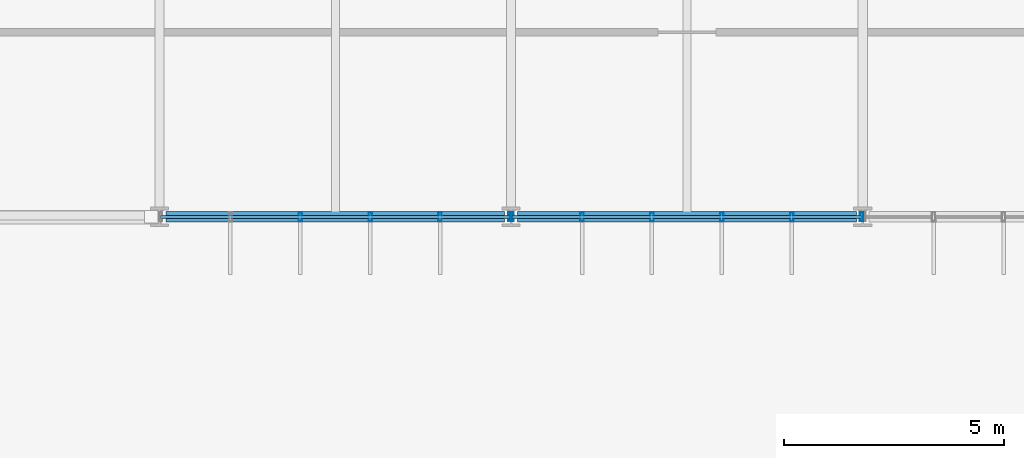
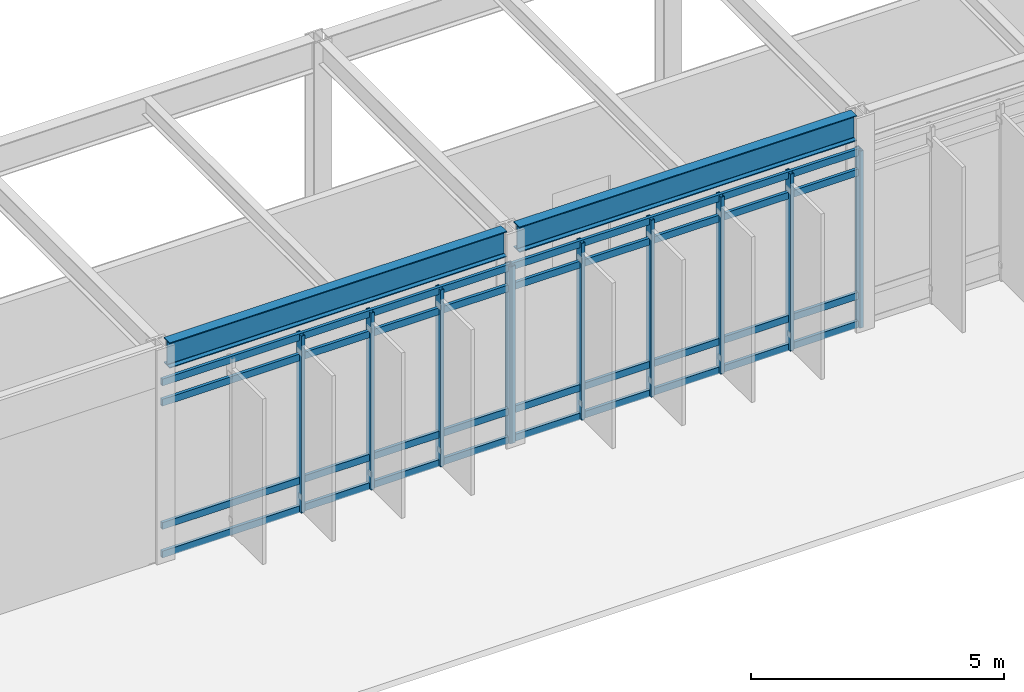
# One storey, part 33 of 94: 18 members, 2 beams, 2 elements without a shape of their own.
"""IFC4 building model written with IfcOpenShell, lengths in metres."""

import ifcopenshell
import ifcopenshell.guid

model = None  # the IFC model being written
_history = None  # IfcOwnerHistory: only IFC2X3 demands one
_inside = {}  # id of a spatial element -> (the spatial element, [elements in it])
_under = {}  # id of a project, library or spatial element -> (it, [spatial elements below it])
_declared = {}  # id of a project -> (the project, [libraries it declares])
_typed = {}  # id of a type object -> (the type object, [elements of that type])
_made_of = {}  # id of a material, layer set ... -> (it, [elements and type objects made of it])


def new_model(schema):
    """Start an empty IFC model of exactly this schema.

    Asked for "IFC4X3", IfcOpenShell would pick the latest addendum, in which some entities
    have other attributes; the version numbers below select the first issue.
    IFC2X3 requires an IfcOwnerHistory on every rooted entity: one is made here for all.
    """
    global model, _history
    if schema == "IFC4X3":
        model = ifcopenshell.file(schema_version=(4, 3, 0, 0))
    else:
        model = ifcopenshell.file(schema=schema)
    _inside.clear()
    _under.clear()
    _declared.clear()
    _typed.clear()
    _made_of.clear()
    _history = None
    if model.schema == "IFC2X3":
        org = make("IfcOrganization", Name="unknown")
        user = make(
            "IfcPersonAndOrganization",
            ThePerson=make("IfcPerson", FamilyName="unknown"),
            TheOrganization=org,
        )
        app = make(
            "IfcApplication",
            ApplicationDeveloper=org,
            Version="unknown",
            ApplicationFullName="unknown",
            ApplicationIdentifier="unknown",
        )
        _history = make(
            "IfcOwnerHistory",
            OwningUser=user,
            OwningApplication=app,
            ChangeAction="ADDED",
            CreationDate=0,
        )
    return model


def make(cls, **values):
    """One entity of the class cls with the attributes given. An attribute that is None is left unset."""
    return model.create_entity(
        cls, **{name: value for name, value in values.items() if value is not None}
    )


def rooted(cls, **values):
    """An entity with a GlobalId (a new one), such as an element, a storey or a relation."""
    return make(cls, GlobalId=ifcopenshell.guid.new(), OwnerHistory=_history, **values)


def si_unit(unit_type, name, prefix=None):
    """IfcSIUnit, for example si_unit("LENGTHUNIT", "METRE", prefix="MILLI")."""
    return make("IfcSIUnit", UnitType=unit_type, Prefix=prefix, Name=name)


def assignment(units):
    """IfcUnitAssignment: the units of a project."""
    return None if units is None else make("IfcUnitAssignment", Units=units)


def point(xyz):
    """IfcCartesianPoint."""
    return None if xyz is None else make("IfcCartesianPoint", Coordinates=xyz)


def direction(xyz):
    """IfcDirection."""
    return None if xyz is None else make("IfcDirection", DirectionRatios=xyz)


def frame(location, z_axis=None, x_axis=None):
    """IfcAxis2Placement3D, a coordinate frame: its origin and axes. An axis left out is left unset."""
    return make(
        "IfcAxis2Placement3D",
        Location=point(location),
        Axis=direction(z_axis),
        RefDirection=direction(x_axis),
    )


def frame_2d(location, x_axis=None):
    """IfcAxis2Placement2D, a coordinate frame in the plane: its origin and x axis."""
    return make(
        "IfcAxis2Placement2D", Location=point(location), RefDirection=direction(x_axis)
    )


def origin():
    """The frame at (0, 0, 0) with its axes left unset."""
    return frame((0.0, 0.0, 0.0))


def origin_2d():
    """The frame at (0, 0) in the plane with its x axis left unset."""
    return frame_2d((0.0, 0.0))


def place(relative_to, where):
    """IfcLocalPlacement: puts the frame where relative to a parent placement (None: the world)."""
    return make(
        "IfcLocalPlacement", PlacementRelTo=relative_to, RelativePlacement=where
    )


def context(
    kind, dimensions, precision=None, world=None, true_north=None, identifier=None
):
    """IfcGeometricRepresentationContext, for example the 3D "Model" context."""
    return make(
        "IfcGeometricRepresentationContext",
        ContextIdentifier=identifier,
        ContextType=kind,
        CoordinateSpaceDimension=dimensions,
        Precision=precision,
        WorldCoordinateSystem=world,
        TrueNorth=true_north,
    )


def subcontext(parent, identifier, kind, view, scale=None):
    """IfcGeometricRepresentationSubContext, for example "Body" below "Model"."""
    return make(
        "IfcGeometricRepresentationSubContext",
        ContextIdentifier=identifier,
        ContextType=kind,
        ParentContext=parent,
        TargetScale=scale,
        TargetView=view,
    )


def project(units=None, contexts=None):
    """IfcProject with its units and contexts."""
    return rooted(
        "IfcProject",
        Name="project",
        RepresentationContexts=contexts,
        UnitsInContext=assignment(units),
    )


def spatial(cls, under=None, at=None, **own):
    """A site, building, storey or space (cls), placed at a placement, below another one or the project."""
    s = rooted(cls, ObjectPlacement=at, **own)
    if under is not None:
        _under.setdefault(under.id(), (under, []))[1].append(s)
    return s


def profile(cls, at=None, kind="AREA", **sizes):
    """A parametric profile (cls). Its sizes go by their IFC names, for example OverallWidth=200.0."""
    return make(cls, ProfileType=kind, Position=at, **sizes)


def hollow_rectangle(**sizes):
    """IfcRectangleHollowProfileDef."""
    return profile("IfcRectangleHollowProfileDef", **sizes)


def i_section(**sizes):
    """IfcIShapeProfileDef."""
    return profile("IfcIShapeProfileDef", **sizes)


def extrude(swept, where, along, depth):
    """IfcExtrudedAreaSolid: the profile swept, set in the frame where, extruded along a direction by depth."""
    return make(
        "IfcExtrudedAreaSolid",
        SweptArea=swept,
        Position=where,
        ExtrudedDirection=direction(along),
        Depth=depth,
    )


def shape(context_of_items, identifier, shape_type, items):
    """IfcShapeRepresentation: the items that make up one representation, for example the "Body"."""
    return make(
        "IfcShapeRepresentation",
        ContextOfItems=context_of_items,
        RepresentationIdentifier=identifier,
        RepresentationType=shape_type,
        Items=items,
    )


def material(Name=None, Category=None):
    """IfcMaterial."""
    return make("IfcMaterial", Name=Name, Category=Category)


def material_profile(
    of_material, cross_section, Name=None, Category=None, Priority=None
):
    """IfcMaterialProfile: a cross section and its material."""
    return make(
        "IfcMaterialProfile",
        Name=Name,
        Material=of_material,
        Profile=cross_section,
        Priority=Priority,
        Category=Category,
    )


def profile_set(profiles, Name=None, composite=None):
    """IfcMaterialProfileSet."""
    return make(
        "IfcMaterialProfileSet",
        Name=Name,
        MaterialProfiles=profiles,
        CompositeProfile=composite,
    )


def made_of(thing, what):
    """Note that an element or type object is made of a material, layer set ...; save() writes the relation."""
    if what is not None:
        _made_of.setdefault(what.id(), (what, []))[1].append(thing)
    return thing


def type_object(cls, material=None, **own):
    """A type object (cls), such as IfcWallType, which elements share."""
    return made_of(rooted(cls, **own), material)


def element(
    cls,
    number,
    at=None,
    inside=None,
    cuts=None,
    type_object=None,
    material=None,
    context=None,
    identifier="Body",
    shape_type=None,
    held_by="IfcProductDefinitionShape",
    body=None,
    shapes=None,
    **own,
):
    """One element of the class cls, such as IfcWall. Its Tag is "e" and its number.

    at: its placement. inside: the storey or other place that contains it. cuts: it is an
    opening in that element (IfcRelVoidsElement). A single representation is given by context,
    identifier, shape_type and body (its items); several are given by shapes. held_by: the class
    of the entity that holds the representations. save() writes the other relations.
    """
    e = rooted(cls, Tag="e%d" % number, ObjectPlacement=at, **own)
    if body is not None:
        shapes = [shape(context, identifier, shape_type, body)]
    if shapes is not None:
        e.Representation = make(held_by, Representations=shapes)
    if inside is not None:
        _inside.setdefault(inside.id(), (inside, []))[1].append(e)
    if cuts is not None:
        rooted(
            "IfcRelVoidsElement", RelatingBuildingElement=cuts, RelatedOpeningElement=e
        )
    if type_object is not None:
        _typed.setdefault(type_object.id(), (type_object, []))[1].append(e)
    return made_of(e, material)


def aggregate(whole, parts):
    """IfcRelAggregates: a whole, such as a stair, and the parts it consists of."""
    return rooted("IfcRelAggregates", RelatingObject=whole, RelatedObjects=parts)


def save(model, path):
    """Write the relations noted so far, then the file.

    IfcRelAggregates (storeys below a building ...), IfcRelContainedInSpatialStructure (elements
    in a storey), IfcRelDefinesByType, IfcRelAssociatesMaterial and IfcRelDeclares: one each for
    every whole, place, type object, material and project.
    """
    for whole, parts in _under.values():
        aggregate(whole, parts)
    for where, things in _inside.values():
        rooted(
            "IfcRelContainedInSpatialStructure",
            RelatedElements=things,
            RelatingStructure=where,
        )
    for kind, things in _typed.values():
        rooted("IfcRelDefinesByType", RelatedObjects=things, RelatingType=kind)
    for what, things in _made_of.values():
        rooted("IfcRelAssociatesMaterial", RelatedObjects=things, RelatingMaterial=what)
    for by, libraries in _declared.values():
        rooted("IfcRelDeclares", RelatingContext=by, RelatedDefinitions=libraries)
    model.write(path)


model = new_model("IFC4")

# Units and contexts
model_context = context("Model", 3, precision=1e-05, world=origin(), true_north=direction((0.0, 1.0)))
body_context = subcontext(model_context, "Body", "Model", "MODEL_VIEW")
ifc_project = project(units=[si_unit("LENGTHUNIT", "METRE"), si_unit("AREAUNIT", "SQUARE_METRE"), si_unit("VOLUMEUNIT", "CUBIC_METRE"), si_unit("PLANEANGLEUNIT", "RADIAN"), si_unit("MASSUNIT", "GRAM", prefix="KILO")], contexts=[model_context])

# Site, building, storey
site_placement = place(None, origin())
site = spatial("IfcSite", under=ifc_project, at=site_placement, CompositionType="ELEMENT")
building_placement = place(site_placement, origin())
building = spatial("IfcBuilding", under=site, at=building_placement, Name="Zulena Civic Courthouse", CompositionType="ELEMENT")
storey_placement = place(building_placement, frame((0.0, 0.0, 5.39990234375)))
storey = spatial("IfcBuildingStorey", under=building, at=storey_placement, Name="L01", CompositionType="ELEMENT", Elevation=5.39990234375)

# Curtain wall, members
ifc_material_1 = material(Name="Double-silver low-E laminated solar-control glass", Category="glass")
curtain_wall_type = type_object("IfcCurtainWallType", Name="CW_7952x4280", PredefinedType="USERDEFINED", material=ifc_material_1)
curtain_wall_1_placement = place(storey_placement, origin())
curtain_wall_1 = element("IfcCurtainWall", 1, at=curtain_wall_1_placement, inside=storey, type_object=curtain_wall_type, Name="cw:V4:L01:3:3", ObjectType="UNITISED CURTAIN WALL", PredefinedType="USERDEFINED")
ifc_material_2 = material(Name="Bronze anodised thermally broken aluminium AA6063-T6", Category="aluminium")
ifc_material_profile_1 = material_profile(ifc_material_2, hollow_rectangle(XDim=0.080078125, YDim=0.199951171875, WallThickness=0.0048828125, at=origin_2d()), Name="CWM200X80X5")
ifc_profile_set_1 = profile_set([ifc_material_profile_1], Name="Bronze anodised thermally broken aluminium AA6063-T6")
member_type_1 = type_object("IfcMemberType", Name="CWMullion_200x80", PredefinedType="MULLION", material=ifc_profile_set_1)
member_1_placement = place(storey_placement, frame((99.97607421875, 15.199951171875, 0.0), z_axis=(0.0, 0.0, 1.0), x_axis=(1.0, 0.0, 0.0)))
member_1 = element("IfcMember", 2, at=member_1_placement, type_object=member_type_1, Name="cw:V4:L01:3:3:mull:0", PredefinedType="MULLION", context=body_context, shape_type="SweptSolid", body=[
    extrude(hollow_rectangle(XDim=0.080078125, YDim=0.199951171875, WallThickness=0.0048828125, at=origin_2d()), origin(), (0.0, 0.0, 1.0), 4.280029296875),
])
member_2_placement = place(storey_placement, frame((98.385498046875, 15.199951171875, 0.0), z_axis=(0.0, 0.0, 1.0), x_axis=(1.0, 0.0, 0.0)))
member_2 = element("IfcMember", 3, at=member_2_placement, type_object=member_type_1, Name="cw:V4:L01:3:3:mull:1", PredefinedType="MULLION", context=body_context, shape_type="SweptSolid", body=[
    extrude(hollow_rectangle(XDim=0.080078125, YDim=0.199951171875, WallThickness=0.0048828125, at=origin_2d()), origin(), (0.0, 0.0, 1.0), 4.280029296875),
])
member_3_placement = place(storey_placement, frame((96.795166015625, 15.199951171875, 0.0), z_axis=(0.0, 0.0, 1.0), x_axis=(1.0, 0.0, 0.0)))
member_3 = element("IfcMember", 4, at=member_3_placement, type_object=member_type_1, Name="cw:V4:L01:3:3:mull:2", PredefinedType="MULLION", context=body_context, shape_type="SweptSolid", body=[
    extrude(hollow_rectangle(XDim=0.080078125, YDim=0.199951171875, WallThickness=0.0048828125, at=origin_2d()), origin(), (0.0, 0.0, 1.0), 4.280029296875),
])
member_4_placement = place(storey_placement, frame((95.204833984375, 15.199951171875, 0.0), z_axis=(0.0, 0.0, 1.0), x_axis=(1.0, 0.0, 0.0)))
member_4 = element("IfcMember", 5, at=member_4_placement, type_object=member_type_1, Name="cw:V4:L01:3:3:mull:3", PredefinedType="MULLION", context=body_context, shape_type="SweptSolid", body=[
    extrude(hollow_rectangle(XDim=0.080078125, YDim=0.199951171875, WallThickness=0.0048828125, at=origin_2d()), origin(), (0.0, 0.0, 1.0), 4.280029296875),
])
member_5_placement = place(storey_placement, frame((93.614501953125, 15.199951171875, 0.0), z_axis=(0.0, 0.0, 1.0), x_axis=(1.0, 0.0, 0.0)))
member_5 = element("IfcMember", 6, at=member_5_placement, type_object=member_type_1, Name="cw:V4:L01:3:3:mull:4", PredefinedType="MULLION", context=body_context, shape_type="SweptSolid", body=[
    extrude(hollow_rectangle(XDim=0.080078125, YDim=0.199951171875, WallThickness=0.0048828125, at=origin_2d()), origin(), (0.0, 0.0, 1.0), 4.280029296875),
])
member_6_placement = place(storey_placement, frame((92.02392578125, 15.199951171875, 0.0), z_axis=(0.0, 0.0, 1.0), x_axis=(1.0, 0.0, 0.0)))
member_6 = element("IfcMember", 7, at=member_6_placement, type_object=member_type_1, Name="cw:V4:L01:3:3:mull:5", PredefinedType="MULLION", context=body_context, shape_type="SweptSolid", body=[
    extrude(hollow_rectangle(XDim=0.080078125, YDim=0.199951171875, WallThickness=0.0048828125, at=origin_2d()), origin(), (0.0, 0.0, 1.0), 4.280029296875),
])

curtain_wall_2_placement = place(storey_placement, origin())
curtain_wall_2 = element("IfcCurtainWall", 8, at=curtain_wall_2_placement, inside=storey, type_object=curtain_wall_type, Name="cw:V4:L01:3:4", ObjectType="UNITISED CURTAIN WALL", PredefinedType="USERDEFINED")
member_7_placement = place(storey_placement, frame((91.97607421875, 15.199951171875, 0.0), z_axis=(0.0, 0.0, 1.0), x_axis=(1.0, 0.0, 0.0)))
member_7 = element("IfcMember", 9, at=member_7_placement, type_object=member_type_1, Name="cw:V4:L01:3:4:mull:0", PredefinedType="MULLION", context=body_context, shape_type="SweptSolid", body=[
    extrude(hollow_rectangle(XDim=0.080078125, YDim=0.199951171875, WallThickness=0.0048828125, at=origin_2d()), origin(), (0.0, 0.0, 1.0), 4.280029296875),
])
member_8_placement = place(storey_placement, frame((90.385498046875, 15.199951171875, 0.0), z_axis=(0.0, 0.0, 1.0), x_axis=(1.0, 0.0, 0.0)))
member_8 = element("IfcMember", 10, at=member_8_placement, type_object=member_type_1, Name="cw:V4:L01:3:4:mull:1", PredefinedType="MULLION", context=body_context, shape_type="SweptSolid", body=[
    extrude(hollow_rectangle(XDim=0.080078125, YDim=0.199951171875, WallThickness=0.0048828125, at=origin_2d()), origin(), (0.0, 0.0, 1.0), 4.280029296875),
])
member_9_placement = place(storey_placement, frame((88.795166015625, 15.199951171875, 0.0), z_axis=(0.0, 0.0, 1.0), x_axis=(1.0, 0.0, 0.0)))
member_9 = element("IfcMember", 11, at=member_9_placement, type_object=member_type_1, Name="cw:V4:L01:3:4:mull:2", PredefinedType="MULLION", context=body_context, shape_type="SweptSolid", body=[
    extrude(hollow_rectangle(XDim=0.080078125, YDim=0.199951171875, WallThickness=0.0048828125, at=origin_2d()), origin(), (0.0, 0.0, 1.0), 4.280029296875),
])
member_10_placement = place(storey_placement, frame((87.204833984375, 15.199951171875, 0.0), z_axis=(0.0, 0.0, 1.0), x_axis=(1.0, 0.0, 0.0)))
member_10 = element("IfcMember", 12, at=member_10_placement, type_object=member_type_1, Name="cw:V4:L01:3:4:mull:3", PredefinedType="MULLION", context=body_context, shape_type="SweptSolid", body=[
    extrude(hollow_rectangle(XDim=0.080078125, YDim=0.199951171875, WallThickness=0.0048828125, at=origin_2d()), origin(), (0.0, 0.0, 1.0), 4.280029296875),
])

# Member
ifc_material_profile_2 = material_profile(ifc_material_2, hollow_rectangle(XDim=0.070068359375, YDim=0.1650390625, WallThickness=0.00390625, at=origin_2d()), Name="CWT165X70X4")
ifc_profile_set_2 = profile_set([ifc_material_profile_2], Name="Bronze anodised thermally broken aluminium AA6063-T6")
member_type_2 = type_object("IfcMemberType", Name="CWTransom_165x70", PredefinedType="USERDEFINED", material=ifc_profile_set_2)
member_11_placement = place(storey_placement, frame((99.97607421875, 15.199951171875, 0.06005859375), z_axis=(-1.0, 0.0, 0.0), x_axis=(0.0, -1.0, 0.0)))
member_11 = element("IfcMember", 13, at=member_11_placement, type_object=member_type_2, Name="cw:V4:L01:3:3:tran:0", ObjectType="TRANSOM", PredefinedType="USERDEFINED", context=body_context, shape_type="SweptSolid", body=[
    extrude(hollow_rectangle(XDim=0.070068359375, YDim=0.1650390625, WallThickness=0.00390625, at=origin_2d()), origin(), (0.0, 0.0, 1.0), 7.9521484375),
])

member_12_placement = place(storey_placement, frame((99.97607421875, 15.199951171875, 0.75), z_axis=(-1.0, 0.0, 0.0), x_axis=(0.0, -1.0, 0.0)))
member_12 = element("IfcMember", 14, at=member_12_placement, type_object=member_type_2, Name="cw:V4:L01:3:3:tran:1", ObjectType="TRANSOM", PredefinedType="USERDEFINED", context=body_context, shape_type="SweptSolid", body=[
    extrude(hollow_rectangle(XDim=0.070068359375, YDim=0.1650390625, WallThickness=0.00390625, at=origin_2d()), origin(), (0.0, 0.0, 1.0), 7.9521484375),
])

member_13_placement = place(storey_placement, frame((99.97607421875, 15.199951171875, 3.72998046875), z_axis=(-1.0, 0.0, 0.0), x_axis=(0.0, -1.0, 0.0)))
member_13 = element("IfcMember", 15, at=member_13_placement, type_object=member_type_2, Name="cw:V4:L01:3:3:tran:2", ObjectType="TRANSOM", PredefinedType="USERDEFINED", context=body_context, shape_type="SweptSolid", body=[
    extrude(hollow_rectangle(XDim=0.070068359375, YDim=0.1650390625, WallThickness=0.00390625, at=origin_2d()), origin(), (0.0, 0.0, 1.0), 7.9521484375),
])

member_14_placement = place(storey_placement, frame((99.97607421875, 15.199951171875, 4.22021484375), z_axis=(-1.0, 0.0, 0.0), x_axis=(0.0, -1.0, 0.0)))
member_14 = element("IfcMember", 16, at=member_14_placement, type_object=member_type_2, Name="cw:V4:L01:3:3:tran:3", ObjectType="TRANSOM", PredefinedType="USERDEFINED", context=body_context, shape_type="SweptSolid", body=[
    extrude(hollow_rectangle(XDim=0.070068359375, YDim=0.1650390625, WallThickness=0.00390625, at=origin_2d()), origin(), (0.0, 0.0, 1.0), 7.9521484375),
])

aggregate(curtain_wall_1, [member_1, member_2, member_3, member_4, member_5, member_6, member_11, member_12, member_13, member_14])

member_15_placement = place(storey_placement, frame((91.97607421875, 15.199951171875, 0.06005859375), z_axis=(-1.0, 0.0, 0.0), x_axis=(0.0, -1.0, 0.0)))
member_15 = element("IfcMember", 17, at=member_15_placement, type_object=member_type_2, Name="cw:V4:L01:3:4:tran:0", ObjectType="TRANSOM", PredefinedType="USERDEFINED", context=body_context, shape_type="SweptSolid", body=[
    extrude(hollow_rectangle(XDim=0.070068359375, YDim=0.1650390625, WallThickness=0.00390625, at=origin_2d()), origin(), (0.0, 0.0, 1.0), 7.9521484375),
])

member_16_placement = place(storey_placement, frame((91.97607421875, 15.199951171875, 0.75), z_axis=(-1.0, 0.0, 0.0), x_axis=(0.0, -1.0, 0.0)))
member_16 = element("IfcMember", 18, at=member_16_placement, type_object=member_type_2, Name="cw:V4:L01:3:4:tran:1", ObjectType="TRANSOM", PredefinedType="USERDEFINED", context=body_context, shape_type="SweptSolid", body=[
    extrude(hollow_rectangle(XDim=0.070068359375, YDim=0.1650390625, WallThickness=0.00390625, at=origin_2d()), origin(), (0.0, 0.0, 1.0), 7.9521484375),
])

member_17_placement = place(storey_placement, frame((91.97607421875, 15.199951171875, 3.72998046875), z_axis=(-1.0, 0.0, 0.0), x_axis=(0.0, -1.0, 0.0)))
member_17 = element("IfcMember", 19, at=member_17_placement, type_object=member_type_2, Name="cw:V4:L01:3:4:tran:2", ObjectType="TRANSOM", PredefinedType="USERDEFINED", context=body_context, shape_type="SweptSolid", body=[
    extrude(hollow_rectangle(XDim=0.070068359375, YDim=0.1650390625, WallThickness=0.00390625, at=origin_2d()), origin(), (0.0, 0.0, 1.0), 7.9521484375),
])

member_18_placement = place(storey_placement, frame((91.97607421875, 15.199951171875, 4.22021484375), z_axis=(-1.0, 0.0, 0.0), x_axis=(0.0, -1.0, 0.0)))
member_18 = element("IfcMember", 20, at=member_18_placement, type_object=member_type_2, Name="cw:V4:L01:3:4:tran:3", ObjectType="TRANSOM", PredefinedType="USERDEFINED", context=body_context, shape_type="SweptSolid", body=[
    extrude(hollow_rectangle(XDim=0.070068359375, YDim=0.1650390625, WallThickness=0.00390625, at=origin_2d()), origin(), (0.0, 0.0, 1.0), 7.9521484375),
])

aggregate(curtain_wall_2, [member_7, member_8, member_9, member_10, member_15, member_16, member_17, member_18])

# Beams
ifc_material_3 = material(Name="Steel ASTM A992 Grade 50", Category="steel")
ifc_material_profile_3 = material_profile(ifc_material_3, i_section(OverallWidth=0.22998046875, OverallDepth=0.616943359375, WebThickness=0.01318359375, FlangeThickness=0.022216796875, FilletRadius=0.0126953125, at=origin_2d()), Name="W24X94")
ifc_profile_set_3 = profile_set([ifc_material_profile_3], Name="Steel ASTM A992 Grade 50")
beam_type = type_object("IfcBeamType", Name="Spandrel_W24X94", PredefinedType="SPANDREL", material=ifc_profile_set_3)
for number, where, z_axis, x_axis, name in (
    (21, (84.14501953125, 15.199951171875, 4.876708984375), (1.0, 0.0, 0.0), (0.0, 1.0, 0.0), "beam:X:V4:L01:15.2:84.0_92.0"),
    (22, (92.14501953125, 15.199951171875, 4.876708984375), (1.0, 0.0, 0.0), (0.0, 1.0, 0.0), "beam:X:V4:L01:15.2:92.0_100.0"),
):
    element("IfcBeam", number, at=place(storey_placement, frame(where, z_axis=z_axis, x_axis=x_axis)), inside=storey, type_object=beam_type, Name=name, PredefinedType="SPANDREL", context=body_context, shape_type="SweptSolid", body=[
        extrude(i_section(OverallWidth=0.22998046875, OverallDepth=0.616943359375, WebThickness=0.01318359375, FlangeThickness=0.022216796875, FilletRadius=0.0126953125, at=origin_2d()), origin(), (0.0, 0.0, 1.0), 7.7099609375),
    ])

save(model, "model.ifc")
